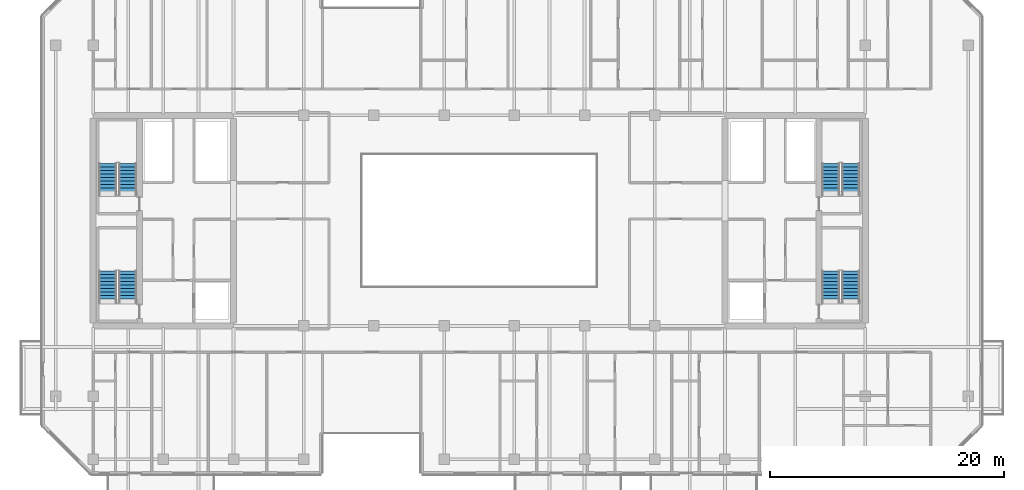
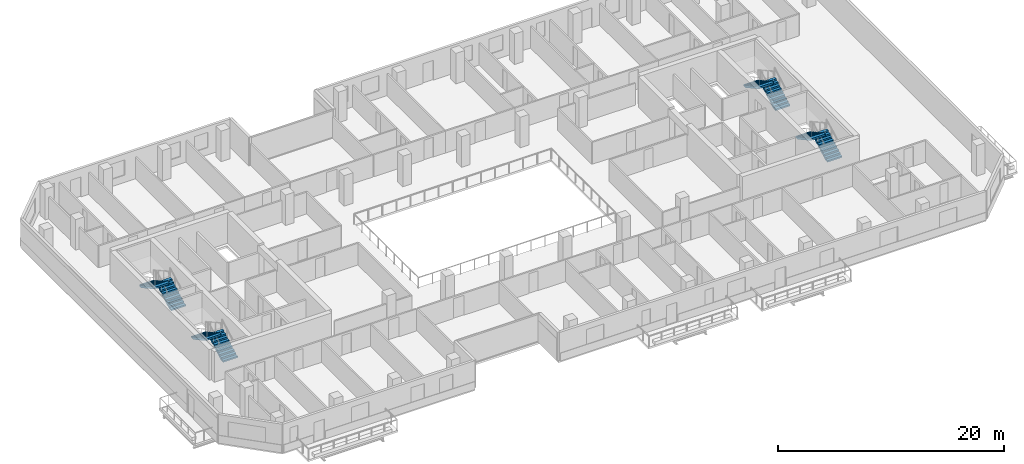
# One storey, part 15 of 19: 8 stair flights, 4 elements without a shape of their own.
"""IFC4 building model written with IfcOpenShell, lengths in metres."""

from ifc_helpers import new_model, si_unit, direction, frame, origin, place, context, subcontext, project, spatial, polyline, outline, extrude, material, type_object, element, aggregate, save


model = new_model("IFC4")

# Units and contexts
model_context = context("Model", 3, precision=1e-05, world=origin(), true_north=direction((0.0, 1.0)))
body_context = subcontext(model_context, "Body", "Model", "MODEL_VIEW")
ifc_project = project(units=[si_unit("LENGTHUNIT", "METRE"), si_unit("AREAUNIT", "SQUARE_METRE"), si_unit("VOLUMEUNIT", "CUBIC_METRE"), si_unit("PLANEANGLEUNIT", "RADIAN"), si_unit("MASSUNIT", "GRAM", prefix="KILO")], contexts=[model_context])

# Site, building, storey
site_placement = place(None, origin())
site = spatial("IfcSite", under=ifc_project, at=site_placement, CompositionType="ELEMENT")
building_placement = place(site_placement, origin())
building = spatial("IfcBuilding", under=site, at=building_placement, Name="Tanjung Sevakor Pilgrim Tower", CompositionType="ELEMENT")
storey_placement = place(building_placement, frame((0.0, 0.0, 132.0)))
storey = spatial("IfcBuildingStorey", under=building, at=storey_placement, Name="L36", CompositionType="ELEMENT", Elevation=132.0)

# Stair, stair flights
ifc_material_1 = material(Name="Concrete C40/50", Category="concrete")
stair_type = type_object("IfcStairType", Name="STAIR-ST-CR150", PredefinedType="HALF_TURN_STAIR", material=ifc_material_1)
stair_1_placement = place(storey_placement, origin())
stair_1 = element("IfcStair", 1, at=stair_1_placement, inside=storey, type_object=stair_type, Name="L36 West Core Exit Stair 1", PredefinedType="HALF_TURN_STAIR")
ifc_material_2 = material(Name="Concrete C40/50", Category="concrete")
stair_flight_type = type_object("IfcStairFlightType", Name="FLIGHT-ST-CR150", PredefinedType="STRAIGHT", material=ifc_material_2)
stair_flight_1_placement = place(storey_placement, frame((26.949951171875, 26.60009765625, 0.0), z_axis=(0.0, 0.0, 1.0), x_axis=(0.0, 1.0, 0.0)))
stair_flight_1 = element("IfcStairFlight", 2, at=stair_flight_1_placement, type_object=stair_flight_type, Name="TS-W1 flight 1", NumberOfRisers=10, NumberOfTreads=9, PredefinedType="STRAIGHT", RiserHeight=0.165, TreadLength=0.3, context=body_context, shape_type="SweptSolid", body=[
    extrude(outline(polyline([(0.0, 0.0), (0.0, 0.1650390625), (0.300048828125, 0.1650390625), (0.300048828125, 0.330078125), (0.60009765625, 0.330078125), (0.60009765625, 0.4951171875), (0.89990234375, 0.4951171875), (0.89990234375, 0.659912109375), (1.199951171875, 0.659912109375), (1.199951171875, 0.824951171875), (1.5, 0.824951171875), (1.5, 0.989990234375), (1.800048828125, 0.989990234375), (1.800048828125, 1.155029296875), (2.10009765625, 1.155029296875), (2.10009765625, 1.320068359375), (2.39990234375, 1.320068359375), (2.39990234375, 1.485107421875), (2.699951171875, 1.485107421875), (2.699951171875, 1.64990234375), (2.699951171875, 1.302490234375), (0.331787109375, 0.0), (0.0, 0.0)])), frame((0.0, 0.75, 0.0), z_axis=(0.0, -1.0, 0.0), x_axis=(1.0, 0.0, 0.0)), (0.0, 0.0, 1.0), 1.5),
])
stair_flight_2_placement = place(storey_placement, frame((25.25, 29.300048828125, 1.64990234375), z_axis=(0.0, 0.0, 1.0), x_axis=(0.0, -1.0, 0.0)))
stair_flight_2 = element("IfcStairFlight", 3, at=stair_flight_2_placement, type_object=stair_flight_type, Name="TS-W1 flight 2", NumberOfRisers=10, NumberOfTreads=9, PredefinedType="STRAIGHT", RiserHeight=0.165, TreadLength=0.3, context=body_context, shape_type="SweptSolid", body=[
    extrude(outline(polyline([(0.0, 0.0), (0.0, 0.1650390625), (0.300048828125, 0.1650390625), (0.300048828125, 0.330078125), (0.60009765625, 0.330078125), (0.60009765625, 0.4951171875), (0.89990234375, 0.4951171875), (0.89990234375, 0.659912109375), (1.199951171875, 0.659912109375), (1.199951171875, 0.824951171875), (1.5, 0.824951171875), (1.5, 0.989990234375), (1.800048828125, 0.989990234375), (1.800048828125, 1.155029296875), (2.10009765625, 1.155029296875), (2.10009765625, 1.320068359375), (2.39990234375, 1.320068359375), (2.39990234375, 1.485107421875), (2.699951171875, 1.485107421875), (2.699951171875, 1.64990234375), (2.699951171875, 1.302490234375), (0.331787109375, 0.0), (0.0, 0.0)])), frame((0.0, 0.75, 0.0), z_axis=(0.0, -1.0, 0.0), x_axis=(1.0, 0.0, 0.0)), (0.0, 0.0, 1.0), 1.5),
])
aggregate(stair_1, [stair_flight_1, stair_flight_2])

stair_2_placement = place(storey_placement, origin())
stair_2 = element("IfcStair", 4, at=stair_2_placement, inside=storey, type_object=stair_type, Name="L36 West Core Exit Stair 2", PredefinedType="HALF_TURN_STAIR")
stair_flight_3_placement = place(storey_placement, frame((26.949951171875, 35.800048828125, 0.0), z_axis=(0.0, 0.0, 1.0), x_axis=(0.0, 1.0, 0.0)))
stair_flight_3 = element("IfcStairFlight", 5, at=stair_flight_3_placement, type_object=stair_flight_type, Name="TS-W2 flight 1", NumberOfRisers=10, NumberOfTreads=9, PredefinedType="STRAIGHT", RiserHeight=0.165, TreadLength=0.3, context=body_context, shape_type="SweptSolid", body=[
    extrude(outline(polyline([(0.0, 0.0), (0.0, 0.1650390625), (0.300048828125, 0.1650390625), (0.300048828125, 0.330078125), (0.60009765625, 0.330078125), (0.60009765625, 0.4951171875), (0.89990234375, 0.4951171875), (0.89990234375, 0.659912109375), (1.199951171875, 0.659912109375), (1.199951171875, 0.824951171875), (1.5, 0.824951171875), (1.5, 0.989990234375), (1.800048828125, 0.989990234375), (1.800048828125, 1.155029296875), (2.10009765625, 1.155029296875), (2.10009765625, 1.320068359375), (2.39990234375, 1.320068359375), (2.39990234375, 1.485107421875), (2.699951171875, 1.485107421875), (2.699951171875, 1.64990234375), (2.699951171875, 1.302490234375), (0.331787109375, 0.0), (0.0, 0.0)])), frame((0.0, 0.75, 0.0), z_axis=(0.0, -1.0, 0.0), x_axis=(1.0, 0.0, 0.0)), (0.0, 0.0, 1.0), 1.5),
])
stair_flight_4_placement = place(storey_placement, frame((25.25, 38.5, 1.64990234375), z_axis=(0.0, 0.0, 1.0), x_axis=(0.0, -1.0, 0.0)))
stair_flight_4 = element("IfcStairFlight", 6, at=stair_flight_4_placement, type_object=stair_flight_type, Name="TS-W2 flight 2", NumberOfRisers=10, NumberOfTreads=9, PredefinedType="STRAIGHT", RiserHeight=0.165, TreadLength=0.3, context=body_context, shape_type="SweptSolid", body=[
    extrude(outline(polyline([(0.0, 0.0), (0.0, 0.1650390625), (0.300048828125, 0.1650390625), (0.300048828125, 0.330078125), (0.60009765625, 0.330078125), (0.60009765625, 0.4951171875), (0.89990234375, 0.4951171875), (0.89990234375, 0.659912109375), (1.199951171875, 0.659912109375), (1.199951171875, 0.824951171875), (1.5, 0.824951171875), (1.5, 0.989990234375), (1.800048828125, 0.989990234375), (1.800048828125, 1.155029296875), (2.10009765625, 1.155029296875), (2.10009765625, 1.320068359375), (2.39990234375, 1.320068359375), (2.39990234375, 1.485107421875), (2.699951171875, 1.485107421875), (2.699951171875, 1.64990234375), (2.699951171875, 1.302490234375), (0.331787109375, 0.0), (0.0, 0.0)])), frame((0.0, 0.75, 0.0), z_axis=(0.0, -1.0, 0.0), x_axis=(1.0, 0.0, 0.0)), (0.0, 0.0, 1.0), 1.5),
])
aggregate(stair_2, [stair_flight_3, stair_flight_4])

stair_3_placement = place(storey_placement, origin())
stair_3 = element("IfcStair", 7, at=stair_3_placement, inside=storey, type_object=stair_type, Name="L36 East Core Exit Stair 1", PredefinedType="HALF_TURN_STAIR")
stair_flight_5_placement = place(storey_placement, frame((88.75, 26.60009765625, 0.0), z_axis=(0.0, 0.0, 1.0), x_axis=(0.0, 1.0, 0.0)))
stair_flight_5 = element("IfcStairFlight", 8, at=stair_flight_5_placement, type_object=stair_flight_type, Name="TS-E1 flight 1", NumberOfRisers=10, NumberOfTreads=9, PredefinedType="STRAIGHT", RiserHeight=0.165, TreadLength=0.3, context=body_context, shape_type="SweptSolid", body=[
    extrude(outline(polyline([(0.0, 0.0), (0.0, 0.1650390625), (0.300048828125, 0.1650390625), (0.300048828125, 0.330078125), (0.60009765625, 0.330078125), (0.60009765625, 0.4951171875), (0.89990234375, 0.4951171875), (0.89990234375, 0.659912109375), (1.199951171875, 0.659912109375), (1.199951171875, 0.824951171875), (1.5, 0.824951171875), (1.5, 0.989990234375), (1.800048828125, 0.989990234375), (1.800048828125, 1.155029296875), (2.10009765625, 1.155029296875), (2.10009765625, 1.320068359375), (2.39990234375, 1.320068359375), (2.39990234375, 1.485107421875), (2.699951171875, 1.485107421875), (2.699951171875, 1.64990234375), (2.699951171875, 1.302490234375), (0.331787109375, 0.0), (0.0, 0.0)])), frame((0.0, 0.75, 0.0), z_axis=(0.0, -1.0, 0.0), x_axis=(1.0, 0.0, 0.0)), (0.0, 0.0, 1.0), 1.5),
])
stair_flight_6_placement = place(storey_placement, frame((87.050048828125, 29.300048828125, 1.64990234375), z_axis=(0.0, 0.0, 1.0), x_axis=(0.0, -1.0, 0.0)))
stair_flight_6 = element("IfcStairFlight", 9, at=stair_flight_6_placement, type_object=stair_flight_type, Name="TS-E1 flight 2", NumberOfRisers=10, NumberOfTreads=9, PredefinedType="STRAIGHT", RiserHeight=0.165, TreadLength=0.3, context=body_context, shape_type="SweptSolid", body=[
    extrude(outline(polyline([(0.0, 0.0), (0.0, 0.1650390625), (0.300048828125, 0.1650390625), (0.300048828125, 0.330078125), (0.60009765625, 0.330078125), (0.60009765625, 0.4951171875), (0.89990234375, 0.4951171875), (0.89990234375, 0.659912109375), (1.199951171875, 0.659912109375), (1.199951171875, 0.824951171875), (1.5, 0.824951171875), (1.5, 0.989990234375), (1.800048828125, 0.989990234375), (1.800048828125, 1.155029296875), (2.10009765625, 1.155029296875), (2.10009765625, 1.320068359375), (2.39990234375, 1.320068359375), (2.39990234375, 1.485107421875), (2.699951171875, 1.485107421875), (2.699951171875, 1.64990234375), (2.699951171875, 1.302490234375), (0.331787109375, 0.0), (0.0, 0.0)])), frame((0.0, 0.75, 0.0), z_axis=(0.0, -1.0, 0.0), x_axis=(1.0, 0.0, 0.0)), (0.0, 0.0, 1.0), 1.5),
])
aggregate(stair_3, [stair_flight_5, stair_flight_6])

stair_4_placement = place(storey_placement, origin())
stair_4 = element("IfcStair", 10, at=stair_4_placement, inside=storey, type_object=stair_type, Name="L36 East Core Exit Stair 2", PredefinedType="HALF_TURN_STAIR")
stair_flight_7_placement = place(storey_placement, frame((88.75, 35.800048828125, 0.0), z_axis=(0.0, 0.0, 1.0), x_axis=(0.0, 1.0, 0.0)))
stair_flight_7 = element("IfcStairFlight", 11, at=stair_flight_7_placement, type_object=stair_flight_type, Name="TS-E2 flight 1", NumberOfRisers=10, NumberOfTreads=9, PredefinedType="STRAIGHT", RiserHeight=0.165, TreadLength=0.3, context=body_context, shape_type="SweptSolid", body=[
    extrude(outline(polyline([(0.0, 0.0), (0.0, 0.1650390625), (0.300048828125, 0.1650390625), (0.300048828125, 0.330078125), (0.60009765625, 0.330078125), (0.60009765625, 0.4951171875), (0.89990234375, 0.4951171875), (0.89990234375, 0.659912109375), (1.199951171875, 0.659912109375), (1.199951171875, 0.824951171875), (1.5, 0.824951171875), (1.5, 0.989990234375), (1.800048828125, 0.989990234375), (1.800048828125, 1.155029296875), (2.10009765625, 1.155029296875), (2.10009765625, 1.320068359375), (2.39990234375, 1.320068359375), (2.39990234375, 1.485107421875), (2.699951171875, 1.485107421875), (2.699951171875, 1.64990234375), (2.699951171875, 1.302490234375), (0.331787109375, 0.0), (0.0, 0.0)])), frame((0.0, 0.75, 0.0), z_axis=(0.0, -1.0, 0.0), x_axis=(1.0, 0.0, 0.0)), (0.0, 0.0, 1.0), 1.5),
])
stair_flight_8_placement = place(storey_placement, frame((87.050048828125, 38.5, 1.64990234375), z_axis=(0.0, 0.0, 1.0), x_axis=(0.0, -1.0, 0.0)))
stair_flight_8 = element("IfcStairFlight", 12, at=stair_flight_8_placement, type_object=stair_flight_type, Name="TS-E2 flight 2", NumberOfRisers=10, NumberOfTreads=9, PredefinedType="STRAIGHT", RiserHeight=0.165, TreadLength=0.3, context=body_context, shape_type="SweptSolid", body=[
    extrude(outline(polyline([(0.0, 0.0), (0.0, 0.1650390625), (0.300048828125, 0.1650390625), (0.300048828125, 0.330078125), (0.60009765625, 0.330078125), (0.60009765625, 0.4951171875), (0.89990234375, 0.4951171875), (0.89990234375, 0.659912109375), (1.199951171875, 0.659912109375), (1.199951171875, 0.824951171875), (1.5, 0.824951171875), (1.5, 0.989990234375), (1.800048828125, 0.989990234375), (1.800048828125, 1.155029296875), (2.10009765625, 1.155029296875), (2.10009765625, 1.320068359375), (2.39990234375, 1.320068359375), (2.39990234375, 1.485107421875), (2.699951171875, 1.485107421875), (2.699951171875, 1.64990234375), (2.699951171875, 1.302490234375), (0.331787109375, 0.0), (0.0, 0.0)])), frame((0.0, 0.75, 0.0), z_axis=(0.0, -1.0, 0.0), x_axis=(1.0, 0.0, 0.0)), (0.0, 0.0, 1.0), 1.5),
])
aggregate(stair_4, [stair_flight_7, stair_flight_8])

save(model, "model.ifc")
